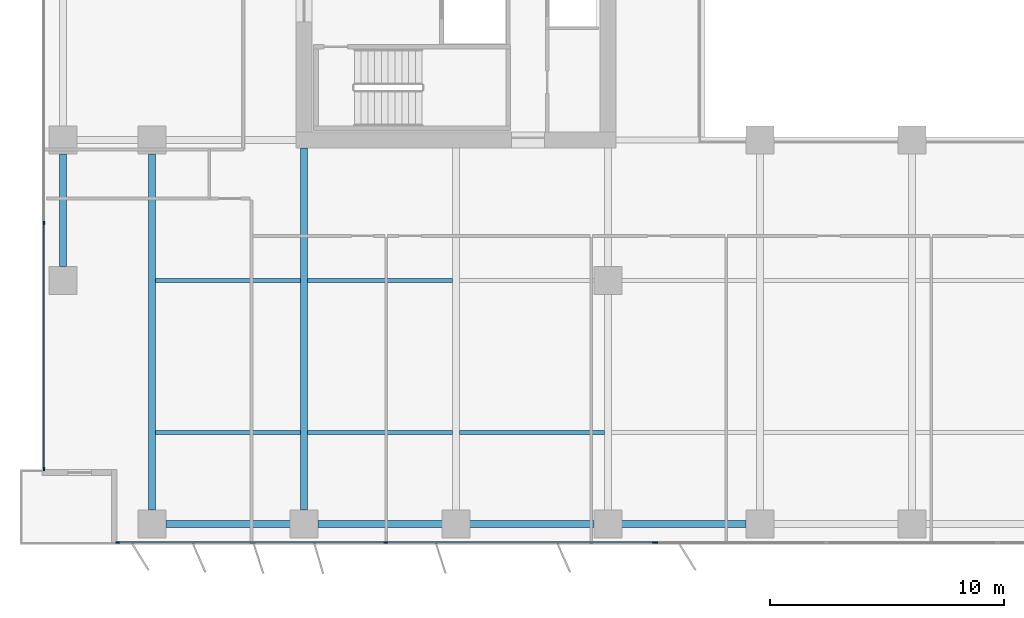
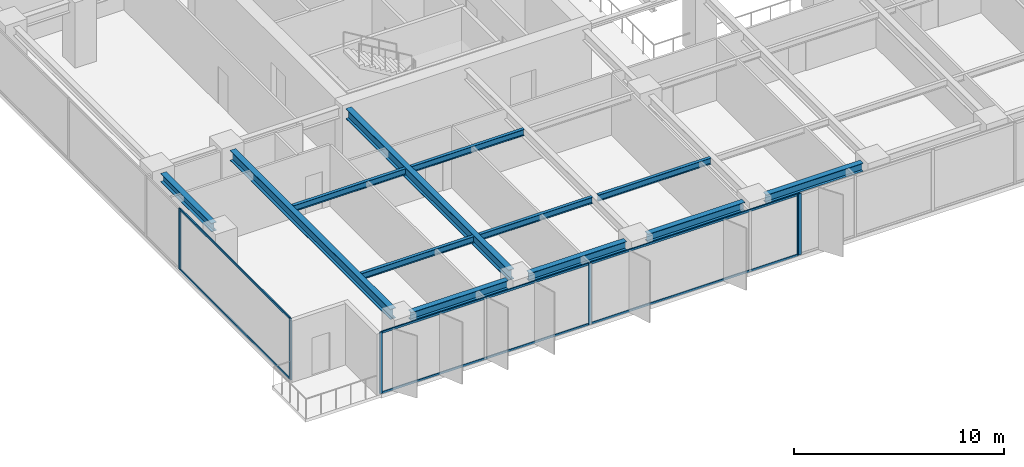
# One storey, part 2 of 20: 12 beams, 12 members, 3 elements without a shape of their own.
"""IFC4 building model written with IfcOpenShell, lengths in metres."""

from ifc_helpers import new_model, si_unit, direction, frame, origin, origin_2d, place, context, subcontext, project, spatial, rectangle, i_section, extrude, material, layer, layer_set, material_profile, profile_set, type_object, element, aggregate, save


model = new_model("IFC4")

# Units and contexts
model_context = context("Model", 3, precision=1e-05, world=origin(), true_north=direction((0.0, 1.0)))
body_context = subcontext(model_context, "Body", "Model", "MODEL_VIEW")
ifc_project = project(units=[si_unit("LENGTHUNIT", "METRE"), si_unit("AREAUNIT", "SQUARE_METRE"), si_unit("VOLUMEUNIT", "CUBIC_METRE"), si_unit("PLANEANGLEUNIT", "RADIAN"), si_unit("MASSUNIT", "GRAM", prefix="KILO")], contexts=[model_context])

# Site, building, storey
site_placement = place(None, origin())
site = spatial("IfcSite", under=ifc_project, at=site_placement, CompositionType="ELEMENT")
building_placement = place(site_placement, origin())
building = spatial("IfcBuilding", under=site, at=building_placement, Name="Putna Gate Headquarters", CompositionType="ELEMENT")
storey_placement = place(building_placement, frame((0.0, 0.0, 101.199951171875)))
storey = spatial("IfcBuildingStorey", under=building, at=storey_placement, Name="L24", CompositionType="ELEMENT", Elevation=101.199951171875)

# Beams
ifc_material_1 = material(Name="Steel S355J2", Category="steel")
ifc_material_profile_1 = material_profile(ifc_material_1, i_section(OverallWidth=0.300048828125, OverallDepth=0.60009765625, WebThickness=0.015380859375, FlangeThickness=0.030029296875, at=origin_2d()), Name="Steel S355J2")
ifc_profile_set_1 = profile_set([ifc_material_profile_1], Name="Steel S355J2")
beam_type_1 = type_object("IfcBeamType", Name="BM-GIRD-Z2-HEB600", PredefinedType="USERDEFINED", material=ifc_profile_set_1)
beam_1_placement = place(storey_placement, frame((6.5, 3.16796875, 3.26513671875), z_axis=(0.0, 1.0, 0.0), x_axis=(-1.0, 0.0, 0.0)))
element("IfcBeam", 1, at=beam_1_placement, inside=storey, type_object=beam_type_1, Name="L24 South Primary Girder X6", ObjectType="GIRDER", PredefinedType="USERDEFINED", context=body_context, shape_type="SweptSolid", body=[
    extrude(i_section(OverallWidth=0.300048828125, OverallDepth=0.60009765625, WebThickness=0.015380859375, FlangeThickness=0.030029296875, at=origin_2d()), origin(), (0.0, 0.0, 1.0), 15.244140625),
])
beam_2_placement = place(storey_placement, frame((13.0, 3.16796875, 3.26513671875), z_axis=(0.0, 1.0, 0.0), x_axis=(-1.0, 0.0, 0.0)))
element("IfcBeam", 2, at=beam_2_placement, inside=storey, type_object=beam_type_1, Name="L24 South Primary Girder X13", ObjectType="GIRDER", PredefinedType="USERDEFINED", context=body_context, shape_type="SweptSolid", body=[
    extrude(i_section(OverallWidth=0.300048828125, OverallDepth=0.60009765625, WebThickness=0.015380859375, FlangeThickness=0.030029296875, at=origin_2d()), origin(), (0.0, 0.0, 1.0), 15.4970703125),
])
ifc_material_profile_2 = material_profile(ifc_material_1, i_section(OverallWidth=0.169921875, OverallDepth=0.360107421875, WebThickness=0.008056640625, FlangeThickness=0.0126953125, at=origin_2d()), Name="Steel S355J2")
ifc_profile_set_2 = profile_set([ifc_material_profile_2], Name="Steel S355J2")
beam_type_2 = type_object("IfcBeamType", Name="BM-SEC-Z2-IPE360", PredefinedType="BEAM", material=ifc_profile_set_2)
for number, where, z_axis, x_axis, name in (
    (3, (6.654052734375, 6.5, 3.385009765625), (1.0, 0.0, 0.0), (0.0, 1.0, 0.0), "L24 South Secondary Beam 1"),
    (4, (6.654052734375, 13.0, 3.385009765625), (1.0, 0.0, 0.0), (0.0, 1.0, 0.0), "L24 South Secondary Beam 1"),
    (5, (13.154052734375, 6.5, 3.385009765625), (1.0, 0.0, 0.0), (0.0, 1.0, 0.0), "L24 South Secondary Beam 2"),
    (6, (13.154052734375, 13.0, 3.385009765625), (1.0, 0.0, 0.0), (0.0, 1.0, 0.0), "L24 South Secondary Beam 2"),
    (7, (19.654052734375, 6.5, 3.385009765625), (1.0, 0.0, 0.0), (0.0, 1.0, 0.0), "L24 South Secondary Beam 3"),
):
    element("IfcBeam", number, at=place(storey_placement, frame(where, z_axis=z_axis, x_axis=x_axis)), inside=storey, type_object=beam_type_2, Name=name, PredefinedType="BEAM", context=body_context, shape_type="SweptSolid", body=[
        extrude(i_section(OverallWidth=0.169921875, OverallDepth=0.360107421875, WebThickness=0.008056640625, FlangeThickness=0.0126953125, at=origin_2d()), origin(), (0.0, 0.0, 1.0), 6.19189453125),
    ])
ifc_material_profile_3 = material_profile(ifc_material_1, i_section(OverallWidth=0.300048828125, OverallDepth=0.489990234375, WebThickness=0.011962890625, FlangeThickness=0.02294921875, at=origin_2d()), Name="Steel S355J2")
ifc_profile_set_3 = profile_set([ifc_material_profile_3], Name="Steel S355J2")
beam_type_3 = type_object("IfcBeamType", Name="BM-SPAN-Z2-HEA500", PredefinedType="SPANDREL", material=ifc_profile_set_3)
for number, where, z_axis, x_axis, name in (
    (8, (7.087890625, 2.580078125, 3.320068359375), (1.0, 0.0, 0.0), (0.0, 1.0, 0.0), "L24 S Perimeter Spandrel 1"),
    (9, (13.587890625, 2.580078125, 3.320068359375), (1.0, 0.0, 0.0), (0.0, 1.0, 0.0), "L24 S Perimeter Spandrel 2"),
    (10, (20.087890625, 2.580078125, 3.320068359375), (1.0, 0.0, 0.0), (0.0, 1.0, 0.0), "L24 S Perimeter Spandrel 3"),
    (11, (26.587890625, 2.580078125, 3.320068359375), (1.0, 0.0, 0.0), (0.0, 1.0, 0.0), "L24 S Perimeter Spandrel 4"),
):
    element("IfcBeam", number, at=place(storey_placement, frame(where, z_axis=z_axis, x_axis=x_axis)), inside=storey, type_object=beam_type_3, Name=name, PredefinedType="SPANDREL", context=body_context, shape_type="SweptSolid", body=[
        extrude(i_section(OverallWidth=0.300048828125, OverallDepth=0.489990234375, WebThickness=0.011962890625, FlangeThickness=0.02294921875, at=origin_2d()), origin(), (0.0, 0.0, 1.0), 5.32421875),
    ])
beam_3_placement = place(storey_placement, frame((2.679931640625, 13.587890625, 3.320068359375), z_axis=(0.0, 1.0, 0.0), x_axis=(-1.0, 0.0, 0.0)))
element("IfcBeam", 12, at=beam_3_placement, inside=storey, type_object=beam_type_3, Name="L24 W End Spandrel 1", PredefinedType="SPANDREL", context=body_context, shape_type="SweptSolid", body=[
    extrude(i_section(OverallWidth=0.300048828125, OverallDepth=0.489990234375, WebThickness=0.011962890625, FlangeThickness=0.02294921875, at=origin_2d()), origin(), (0.0, 0.0, 1.0), 4.82421875),
])

# Curtain wall, members
ifc_material_2 = material(Name="Anodised bronze aluminium curtain wall", Category="aluminium")
ifc_layer_1 = layer(ifc_material_2, 0.159912109375)
ifc_layer_set_1 = layer_set([ifc_layer_1], Name="Anodised bronze aluminium curtain wall")
curtain_wall_type_1 = type_object("IfcCurtainWallType", Name="CW-SYS-Z2", PredefinedType="USERDEFINED", material=ifc_layer_set_1)
curtain_wall_1_placement = place(storey_placement, origin())
curtain_wall_1 = element("IfcCurtainWall", 13, at=curtain_wall_1_placement, inside=storey, type_object=curtain_wall_type_1, Name="L24 South West Curtain Wall", ObjectType="STICK CURTAIN WALL", PredefinedType="USERDEFINED")
ifc_material_3 = material(Name="Anodised bronze aluminium EN AW-6060", Category="aluminium")
ifc_material_profile_4 = material_profile(ifc_material_3, rectangle(XDim=0.06494140625, YDim=0.159912109375, at=origin_2d()), Name="Anodised bronze aluminium EN AW-6060")
ifc_profile_set_4 = profile_set([ifc_material_profile_4], Name="Anodised bronze aluminium EN AW-6060")
member_type_1 = type_object("IfcMemberType", Name="MULL-CWM-2", PredefinedType="MULLION", material=ifc_profile_set_4)
member_1_placement = place(storey_placement, frame((5.032470703125, 1.780029296875, 0.0), z_axis=(0.0, 0.0, 1.0), x_axis=(0.0, 1.0, 0.0)))
member_1 = element("IfcMember", 14, at=member_1_placement, type_object=member_type_1, Name="CWS-2 mullion 1", PredefinedType="MULLION", context=body_context, shape_type="SweptSolid", body=[
    extrude(rectangle(XDim=0.06494140625, YDim=0.159912109375, at=origin_2d()), origin(), (0.0, 0.0, 1.0), 3.56494140625),
])
member_2_placement = place(storey_placement, frame((16.5, 1.780029296875, 0.0), z_axis=(0.0, 0.0, 1.0), x_axis=(0.0, 1.0, 0.0)))
member_2 = element("IfcMember", 15, at=member_2_placement, type_object=member_type_1, Name="CWS-2 mullion 2", PredefinedType="MULLION", context=body_context, shape_type="SweptSolid", body=[
    extrude(rectangle(XDim=0.06494140625, YDim=0.159912109375, at=origin_2d()), origin(), (0.0, 0.0, 1.0), 3.56494140625),
])
member_3_placement = place(storey_placement, frame((27.967529296875, 1.780029296875, 0.0), z_axis=(0.0, 0.0, 1.0), x_axis=(0.0, 1.0, 0.0)))
member_3 = element("IfcMember", 16, at=member_3_placement, type_object=member_type_1, Name="CWS-2 mullion 3", PredefinedType="MULLION", context=body_context, shape_type="SweptSolid", body=[
    extrude(rectangle(XDim=0.06494140625, YDim=0.159912109375, at=origin_2d()), origin(), (0.0, 0.0, 1.0), 3.56494140625),
])

curtain_wall_2_placement = place(storey_placement, origin())
curtain_wall_2 = element("IfcCurtainWall", 17, at=curtain_wall_2_placement, inside=storey, type_object=curtain_wall_type_1, Name="L24 West Curtain Wall", ObjectType="STICK CURTAIN WALL", PredefinedType="USERDEFINED")
member_4_placement = place(storey_placement, frame((1.8798828125, 4.9326171875, 0.0), z_axis=(0.0, 0.0, 1.0), x_axis=(-1.0, 0.0, 0.0)))
member_4 = element("IfcMember", 18, at=member_4_placement, type_object=member_type_1, Name="CWS-2 mullion 1", PredefinedType="MULLION", context=body_context, shape_type="SweptSolid", body=[
    extrude(rectangle(XDim=0.06494140625, YDim=0.159912109375, at=origin_2d()), origin(), (0.0, 0.0, 1.0), 3.56494140625),
])
member_5_placement = place(storey_placement, frame((1.8798828125, 15.449951171875, 0.0), z_axis=(0.0, 0.0, 1.0), x_axis=(-1.0, 0.0, 0.0)))
member_5 = element("IfcMember", 19, at=member_5_placement, type_object=member_type_1, Name="CWS-2 mullion 2", PredefinedType="MULLION", context=body_context, shape_type="SweptSolid", body=[
    extrude(rectangle(XDim=0.06494140625, YDim=0.159912109375, at=origin_2d()), origin(), (0.0, 0.0, 1.0), 3.56494140625),
])

# Curtain wall, member
ifc_layer_2 = layer(ifc_material_2, 0.179931640625)
ifc_layer_set_2 = layer_set([ifc_layer_2], Name="Anodised bronze aluminium curtain wall")
curtain_wall_type_2 = type_object("IfcCurtainWallType", Name="CW-SYS-ATR", PredefinedType="USERDEFINED", material=ifc_layer_set_2)
curtain_wall_3_placement = place(storey_placement, origin())
curtain_wall_3 = element("IfcCurtainWall", 20, at=curtain_wall_3_placement, inside=storey, type_object=curtain_wall_type_2, Name="L24 South Atrium Clear Glazing", ObjectType="ATRIUM GLAZING", PredefinedType="USERDEFINED")
ifc_material_profile_5 = material_profile(ifc_material_3, rectangle(XDim=0.070068359375, YDim=0.179931640625, at=origin_2d()), Name="Anodised bronze aluminium EN AW-6060")
ifc_profile_set_5 = profile_set([ifc_material_profile_5], Name="Anodised bronze aluminium EN AW-6060")
member_type_2 = type_object("IfcMemberType", Name="MULL-CWM-AT", PredefinedType="MULLION", material=ifc_profile_set_5)
member_6_placement = place(storey_placement, frame((28.034912109375, 1.780029296875, 0.0), z_axis=(0.0, 0.0, 1.0), x_axis=(0.0, 1.0, 0.0)))
member_6 = element("IfcMember", 21, at=member_6_placement, type_object=member_type_2, Name="CWS-AT mullion 1", PredefinedType="MULLION", context=body_context, shape_type="SweptSolid", body=[
    extrude(rectangle(XDim=0.070068359375, YDim=0.179931640625, at=origin_2d()), origin(), (0.0, 0.0, 1.0), 3.56494140625),
])
aggregate(curtain_wall_3, [member_6])

# Member
ifc_material_profile_6 = material_profile(ifc_material_3, rectangle(XDim=0.06494140625, YDim=0.1201171875, at=origin_2d()), Name="Anodised bronze aluminium EN AW-6060")
ifc_profile_set_6 = profile_set([ifc_material_profile_6], Name="Anodised bronze aluminium EN AW-6060")
member_type_3 = type_object("IfcMemberType", Name="TRAN-CWT-2", PredefinedType="USERDEFINED", material=ifc_profile_set_6)
member_7_placement = place(storey_placement, frame((5.06494140625, 1.780029296875, 0.032470703125), z_axis=(1.0, 0.0, 0.0), x_axis=(0.0, 1.0, 0.0)))
member_7 = element("IfcMember", 22, at=member_7_placement, type_object=member_type_3, Name="CWS-2 transom 1.1", ObjectType="TRANSOM", PredefinedType="USERDEFINED", context=body_context, shape_type="SweptSolid", body=[
    extrude(rectangle(XDim=0.06494140625, YDim=0.1201171875, at=origin_2d()), origin(), (0.0, 0.0, 1.0), 11.402587890625),
])

member_8_placement = place(storey_placement, frame((5.06494140625, 1.780029296875, 3.532470703125), z_axis=(1.0, 0.0, 0.0), x_axis=(0.0, 1.0, 0.0)))
member_8 = element("IfcMember", 23, at=member_8_placement, type_object=member_type_3, Name="CWS-2 transom 1.2", ObjectType="TRANSOM", PredefinedType="USERDEFINED", context=body_context, shape_type="SweptSolid", body=[
    extrude(rectangle(XDim=0.06494140625, YDim=0.1201171875, at=origin_2d()), origin(), (0.0, 0.0, 1.0), 11.402587890625),
])

member_9_placement = place(storey_placement, frame((16.532470703125, 1.780029296875, 0.032470703125), z_axis=(1.0, 0.0, 0.0), x_axis=(0.0, 1.0, 0.0)))
member_9 = element("IfcMember", 24, at=member_9_placement, type_object=member_type_3, Name="CWS-2 transom 2.1", ObjectType="TRANSOM", PredefinedType="USERDEFINED", context=body_context, shape_type="SweptSolid", body=[
    extrude(rectangle(XDim=0.06494140625, YDim=0.1201171875, at=origin_2d()), origin(), (0.0, 0.0, 1.0), 11.402587890625),
])

member_10_placement = place(storey_placement, frame((16.532470703125, 1.780029296875, 3.532470703125), z_axis=(1.0, 0.0, 0.0), x_axis=(0.0, 1.0, 0.0)))
member_10 = element("IfcMember", 25, at=member_10_placement, type_object=member_type_3, Name="CWS-2 transom 2.2", ObjectType="TRANSOM", PredefinedType="USERDEFINED", context=body_context, shape_type="SweptSolid", body=[
    extrude(rectangle(XDim=0.06494140625, YDim=0.1201171875, at=origin_2d()), origin(), (0.0, 0.0, 1.0), 11.402587890625),
])

aggregate(curtain_wall_1, [member_1, member_2, member_3, member_7, member_8, member_9, member_10])

member_11_placement = place(storey_placement, frame((1.8798828125, 4.965087890625, 0.032470703125), z_axis=(0.0, 1.0, 0.0), x_axis=(-1.0, 0.0, 0.0)))
member_11 = element("IfcMember", 26, at=member_11_placement, type_object=member_type_3, Name="CWS-2 transom 1.1", ObjectType="TRANSOM", PredefinedType="USERDEFINED", context=body_context, shape_type="SweptSolid", body=[
    extrude(rectangle(XDim=0.06494140625, YDim=0.1201171875, at=origin_2d()), origin(), (0.0, 0.0, 1.0), 10.452392578125),
])

member_12_placement = place(storey_placement, frame((1.8798828125, 4.965087890625, 3.532470703125), z_axis=(0.0, 1.0, 0.0), x_axis=(-1.0, 0.0, 0.0)))
member_12 = element("IfcMember", 27, at=member_12_placement, type_object=member_type_3, Name="CWS-2 transom 1.2", ObjectType="TRANSOM", PredefinedType="USERDEFINED", context=body_context, shape_type="SweptSolid", body=[
    extrude(rectangle(XDim=0.06494140625, YDim=0.1201171875, at=origin_2d()), origin(), (0.0, 0.0, 1.0), 10.452392578125),
])

aggregate(curtain_wall_2, [member_4, member_5, member_11, member_12])

save(model, "model.ifc")
